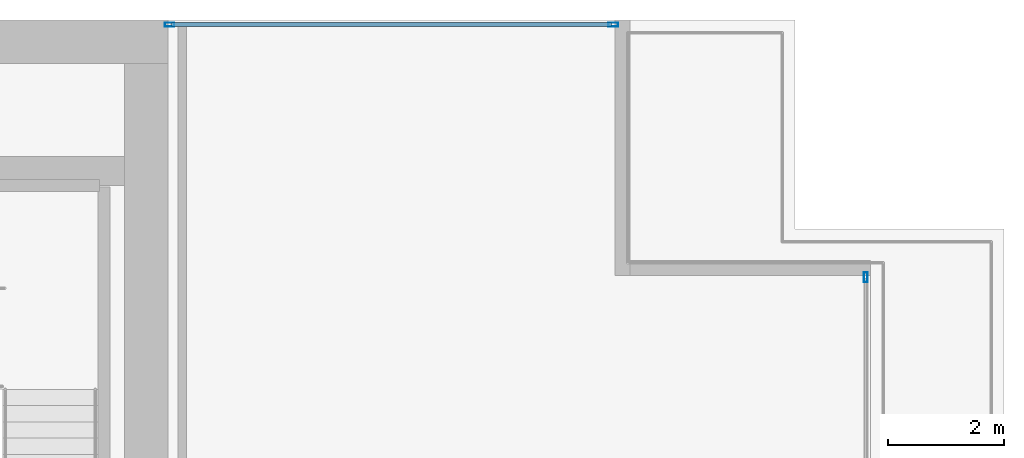
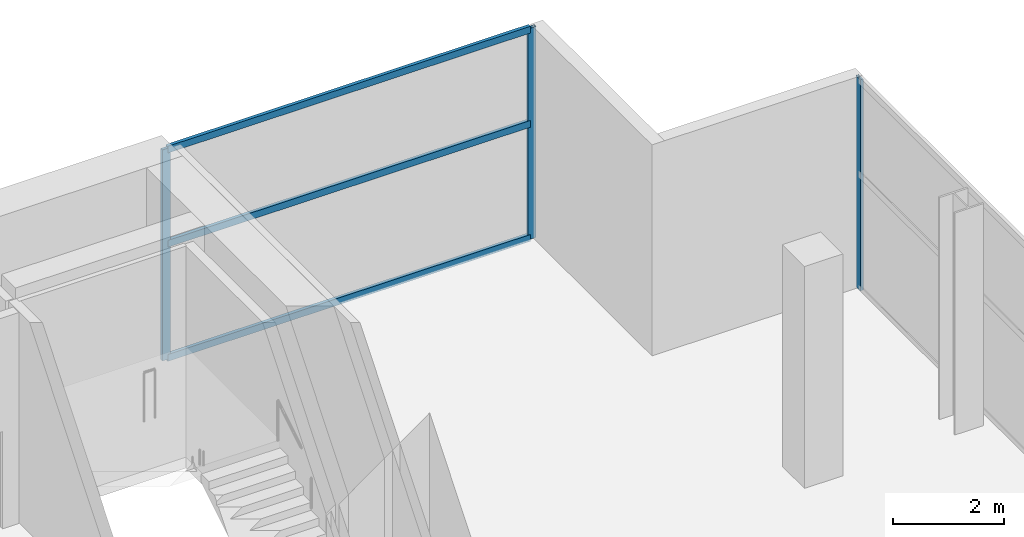
# One storey, part 22 of 31: 6 members, 2 elements without a shape of their own.
"""IFC4 building model written with IfcOpenShell, lengths in metres."""

import ifcopenshell
import ifcopenshell.guid

model = None  # the IFC model being written
_history = None  # IfcOwnerHistory: only IFC2X3 demands one
_inside = {}  # id of a spatial element -> (the spatial element, [elements in it])
_under = {}  # id of a project, library or spatial element -> (it, [spatial elements below it])
_declared = {}  # id of a project -> (the project, [libraries it declares])
_typed = {}  # id of a type object -> (the type object, [elements of that type])
_made_of = {}  # id of a material, layer set ... -> (it, [elements and type objects made of it])


def new_model(schema):
    """Start an empty IFC model of exactly this schema.

    Asked for "IFC4X3", IfcOpenShell would pick the latest addendum, in which some entities
    have other attributes; the version numbers below select the first issue.
    IFC2X3 requires an IfcOwnerHistory on every rooted entity: one is made here for all.
    """
    global model, _history
    if schema == "IFC4X3":
        model = ifcopenshell.file(schema_version=(4, 3, 0, 0))
    else:
        model = ifcopenshell.file(schema=schema)
    _inside.clear()
    _under.clear()
    _declared.clear()
    _typed.clear()
    _made_of.clear()
    _history = None
    if model.schema == "IFC2X3":
        org = make("IfcOrganization", Name="unknown")
        user = make(
            "IfcPersonAndOrganization",
            ThePerson=make("IfcPerson", FamilyName="unknown"),
            TheOrganization=org,
        )
        app = make(
            "IfcApplication",
            ApplicationDeveloper=org,
            Version="unknown",
            ApplicationFullName="unknown",
            ApplicationIdentifier="unknown",
        )
        _history = make(
            "IfcOwnerHistory",
            OwningUser=user,
            OwningApplication=app,
            ChangeAction="ADDED",
            CreationDate=0,
        )
    return model


def make(cls, **values):
    """One entity of the class cls with the attributes given. An attribute that is None is left unset."""
    return model.create_entity(
        cls, **{name: value for name, value in values.items() if value is not None}
    )


def rooted(cls, **values):
    """An entity with a GlobalId (a new one), such as an element, a storey or a relation."""
    return make(cls, GlobalId=ifcopenshell.guid.new(), OwnerHistory=_history, **values)


def si_unit(unit_type, name, prefix=None):
    """IfcSIUnit, for example si_unit("LENGTHUNIT", "METRE", prefix="MILLI")."""
    return make("IfcSIUnit", UnitType=unit_type, Prefix=prefix, Name=name)


def assignment(units):
    """IfcUnitAssignment: the units of a project."""
    return None if units is None else make("IfcUnitAssignment", Units=units)


def point(xyz):
    """IfcCartesianPoint."""
    return None if xyz is None else make("IfcCartesianPoint", Coordinates=xyz)


def direction(xyz):
    """IfcDirection."""
    return None if xyz is None else make("IfcDirection", DirectionRatios=xyz)


def frame(location, z_axis=None, x_axis=None):
    """IfcAxis2Placement3D, a coordinate frame: its origin and axes. An axis left out is left unset."""
    return make(
        "IfcAxis2Placement3D",
        Location=point(location),
        Axis=direction(z_axis),
        RefDirection=direction(x_axis),
    )


def frame_2d(location, x_axis=None):
    """IfcAxis2Placement2D, a coordinate frame in the plane: its origin and x axis."""
    return make(
        "IfcAxis2Placement2D", Location=point(location), RefDirection=direction(x_axis)
    )


def origin():
    """The frame at (0, 0, 0) with its axes left unset."""
    return frame((0.0, 0.0, 0.0))


def origin_2d():
    """The frame at (0, 0) in the plane with its x axis left unset."""
    return frame_2d((0.0, 0.0))


def place(relative_to, where):
    """IfcLocalPlacement: puts the frame where relative to a parent placement (None: the world)."""
    return make(
        "IfcLocalPlacement", PlacementRelTo=relative_to, RelativePlacement=where
    )


def context(
    kind, dimensions, precision=None, world=None, true_north=None, identifier=None
):
    """IfcGeometricRepresentationContext, for example the 3D "Model" context."""
    return make(
        "IfcGeometricRepresentationContext",
        ContextIdentifier=identifier,
        ContextType=kind,
        CoordinateSpaceDimension=dimensions,
        Precision=precision,
        WorldCoordinateSystem=world,
        TrueNorth=true_north,
    )


def subcontext(parent, identifier, kind, view, scale=None):
    """IfcGeometricRepresentationSubContext, for example "Body" below "Model"."""
    return make(
        "IfcGeometricRepresentationSubContext",
        ContextIdentifier=identifier,
        ContextType=kind,
        ParentContext=parent,
        TargetScale=scale,
        TargetView=view,
    )


def project(units=None, contexts=None):
    """IfcProject with its units and contexts."""
    return rooted(
        "IfcProject",
        Name="project",
        RepresentationContexts=contexts,
        UnitsInContext=assignment(units),
    )


def spatial(cls, under=None, at=None, **own):
    """A site, building, storey or space (cls), placed at a placement, below another one or the project."""
    s = rooted(cls, ObjectPlacement=at, **own)
    if under is not None:
        _under.setdefault(under.id(), (under, []))[1].append(s)
    return s


def profile(cls, at=None, kind="AREA", **sizes):
    """A parametric profile (cls). Its sizes go by their IFC names, for example OverallWidth=200.0."""
    return make(cls, ProfileType=kind, Position=at, **sizes)


def hollow_rectangle(**sizes):
    """IfcRectangleHollowProfileDef."""
    return profile("IfcRectangleHollowProfileDef", **sizes)


def extrude(swept, where, along, depth):
    """IfcExtrudedAreaSolid: the profile swept, set in the frame where, extruded along a direction by depth."""
    return make(
        "IfcExtrudedAreaSolid",
        SweptArea=swept,
        Position=where,
        ExtrudedDirection=direction(along),
        Depth=depth,
    )


def shape(context_of_items, identifier, shape_type, items):
    """IfcShapeRepresentation: the items that make up one representation, for example the "Body"."""
    return make(
        "IfcShapeRepresentation",
        ContextOfItems=context_of_items,
        RepresentationIdentifier=identifier,
        RepresentationType=shape_type,
        Items=items,
    )


def material(Name=None, Category=None):
    """IfcMaterial."""
    return make("IfcMaterial", Name=Name, Category=Category)


def layer(
    of_material, thickness, ventilated=None, Name=None, Category=None, Priority=None
):
    """IfcMaterialLayer: one layer of a wall or slab, of a material (None: an air gap)."""
    return make(
        "IfcMaterialLayer",
        Material=of_material,
        LayerThickness=thickness,
        IsVentilated=ventilated,
        Name=Name,
        Category=Category,
        Priority=Priority,
    )


def layer_set(layers, Name=None):
    """IfcMaterialLayerSet."""
    return make("IfcMaterialLayerSet", MaterialLayers=layers, LayerSetName=Name)


def material_profile(
    of_material, cross_section, Name=None, Category=None, Priority=None
):
    """IfcMaterialProfile: a cross section and its material."""
    return make(
        "IfcMaterialProfile",
        Name=Name,
        Material=of_material,
        Profile=cross_section,
        Priority=Priority,
        Category=Category,
    )


def profile_set(profiles, Name=None, composite=None):
    """IfcMaterialProfileSet."""
    return make(
        "IfcMaterialProfileSet",
        Name=Name,
        MaterialProfiles=profiles,
        CompositeProfile=composite,
    )


def made_of(thing, what):
    """Note that an element or type object is made of a material, layer set ...; save() writes the relation."""
    if what is not None:
        _made_of.setdefault(what.id(), (what, []))[1].append(thing)
    return thing


def type_object(cls, material=None, **own):
    """A type object (cls), such as IfcWallType, which elements share."""
    return made_of(rooted(cls, **own), material)


def element(
    cls,
    number,
    at=None,
    inside=None,
    cuts=None,
    type_object=None,
    material=None,
    context=None,
    identifier="Body",
    shape_type=None,
    held_by="IfcProductDefinitionShape",
    body=None,
    shapes=None,
    **own,
):
    """One element of the class cls, such as IfcWall. Its Tag is "e" and its number.

    at: its placement. inside: the storey or other place that contains it. cuts: it is an
    opening in that element (IfcRelVoidsElement). A single representation is given by context,
    identifier, shape_type and body (its items); several are given by shapes. held_by: the class
    of the entity that holds the representations. save() writes the other relations.
    """
    e = rooted(cls, Tag="e%d" % number, ObjectPlacement=at, **own)
    if body is not None:
        shapes = [shape(context, identifier, shape_type, body)]
    if shapes is not None:
        e.Representation = make(held_by, Representations=shapes)
    if inside is not None:
        _inside.setdefault(inside.id(), (inside, []))[1].append(e)
    if cuts is not None:
        rooted(
            "IfcRelVoidsElement", RelatingBuildingElement=cuts, RelatedOpeningElement=e
        )
    if type_object is not None:
        _typed.setdefault(type_object.id(), (type_object, []))[1].append(e)
    return made_of(e, material)


def aggregate(whole, parts):
    """IfcRelAggregates: a whole, such as a stair, and the parts it consists of."""
    return rooted("IfcRelAggregates", RelatingObject=whole, RelatedObjects=parts)


def save(model, path):
    """Write the relations noted so far, then the file.

    IfcRelAggregates (storeys below a building ...), IfcRelContainedInSpatialStructure (elements
    in a storey), IfcRelDefinesByType, IfcRelAssociatesMaterial and IfcRelDeclares: one each for
    every whole, place, type object, material and project.
    """
    for whole, parts in _under.values():
        aggregate(whole, parts)
    for where, things in _inside.values():
        rooted(
            "IfcRelContainedInSpatialStructure",
            RelatedElements=things,
            RelatingStructure=where,
        )
    for kind, things in _typed.values():
        rooted("IfcRelDefinesByType", RelatedObjects=things, RelatingType=kind)
    for what, things in _made_of.values():
        rooted("IfcRelAssociatesMaterial", RelatedObjects=things, RelatingMaterial=what)
    for by, libraries in _declared.values():
        rooted("IfcRelDeclares", RelatingContext=by, RelatedDefinitions=libraries)
    model.write(path)


model = new_model("IFC4")

# Units and contexts
model_context = context("Model", 3, precision=1e-05, world=origin(), true_north=direction((0.0, 1.0)))
body_context = subcontext(model_context, "Body", "Model", "MODEL_VIEW")
ifc_project = project(units=[si_unit("LENGTHUNIT", "METRE"), si_unit("AREAUNIT", "SQUARE_METRE"), si_unit("VOLUMEUNIT", "CUBIC_METRE"), si_unit("PLANEANGLEUNIT", "RADIAN"), si_unit("MASSUNIT", "GRAM", prefix="KILO")], contexts=[model_context])

# Site, building, storey
site_placement = place(None, origin())
site = spatial("IfcSite", under=ifc_project, at=site_placement, CompositionType="ELEMENT")
building_placement = place(site_placement, origin())
building = spatial("IfcBuilding", under=site, at=building_placement, Name="Maruvema Waterfront Hotel and Observation Tower", CompositionType="ELEMENT")
storey_placement = place(building_placement, frame((0.0, 0.0, 122.5)))
storey = spatial("IfcBuildingStorey", under=building, at=storey_placement, Name="L29", CompositionType="ELEMENT", Elevation=122.5)

# Curtain wall, members
ifc_material_1 = material(Name="Anodised bronze aluminium and solar-control low-E IGU", Category="aluminium")
ifc_layer = layer(ifc_material_1, 0.159912109375, Name="Zone 2 Amber Inner Thermal Curtain Wall System CW-03")
ifc_layer_set = layer_set([ifc_layer], Name="Anodised bronze aluminium and solar-control low-E IGU")
curtain_wall_type = type_object("IfcCurtainWallType", Name="Zone 2 Amber Inner Thermal Curtain Wall System CW-03", PredefinedType="USERDEFINED", material=ifc_layer_set)
curtain_wall_1_placement = place(storey_placement, origin())
curtain_wall_1 = element("IfcCurtainWall", 1, at=curtain_wall_1_placement, inside=storey, type_object=curtain_wall_type, Name="L29 Curtain Wall CW-L29-NE", ObjectType="UNITISED CURTAIN WALL", PredefinedType="USERDEFINED")
ifc_material_2 = material(Name="Anodised architectural bronze aluminium", Category="aluminium")
ifc_material_profile_1 = material_profile(ifc_material_2, hollow_rectangle(XDim=0.070068359375, YDim=0.14990234375, WallThickness=0.00390625, at=origin_2d()), Name="ALU-T70x150")
ifc_profile_set_1 = profile_set([ifc_material_profile_1], Name="Anodised architectural bronze aluminium")
member_type_1 = type_object("IfcMemberType", Name="Curtain Wall Horizontal Transom ALU-T70x150", PredefinedType="USERDEFINED", material=ifc_profile_set_1)
member_1_placement = place(storey_placement, frame((58.0400390625, 53.919921875, 0.030029296875), z_axis=(-1.0, 0.0, 0.0), x_axis=(0.0, -1.0, 0.0)))
member_1 = element("IfcMember", 2, at=member_1_placement, type_object=member_type_1, Name="CW-03 transom 1.1", ObjectType="TRANSOM", PredefinedType="USERDEFINED", context=body_context, shape_type="SweptSolid", body=[
    extrude(hollow_rectangle(XDim=0.070068359375, YDim=0.14990234375, WallThickness=0.00390625, at=origin_2d()), origin(), (0.0, 0.0, 1.0), 7.580078125),
])
member_2_placement = place(storey_placement, frame((58.0400390625, 53.919921875, 2.550048828125), z_axis=(-1.0, 0.0, 0.0), x_axis=(0.0, -1.0, 0.0)))
member_2 = element("IfcMember", 3, at=member_2_placement, type_object=member_type_1, Name="CW-03 transom 1.2", ObjectType="TRANSOM", PredefinedType="USERDEFINED", context=body_context, shape_type="SweptSolid", body=[
    extrude(hollow_rectangle(XDim=0.070068359375, YDim=0.14990234375, WallThickness=0.00390625, at=origin_2d()), origin(), (0.0, 0.0, 1.0), 7.580078125),
])
member_3_placement = place(storey_placement, frame((58.0400390625, 53.919921875, 4.6298828125), z_axis=(-1.0, 0.0, 0.0), x_axis=(0.0, -1.0, 0.0)))
member_3 = element("IfcMember", 4, at=member_3_placement, type_object=member_type_1, Name="CW-03 transom 1.3", ObjectType="TRANSOM", PredefinedType="USERDEFINED", context=body_context, shape_type="SweptSolid", body=[
    extrude(hollow_rectangle(XDim=0.070068359375, YDim=0.14990234375, WallThickness=0.00390625, at=origin_2d()), origin(), (0.0, 0.0, 1.0), 7.580078125),
])

# Curtain wall, member
curtain_wall_2_placement = place(storey_placement, origin())
curtain_wall_2 = element("IfcCurtainWall", 5, at=curtain_wall_2_placement, inside=storey, type_object=curtain_wall_type, Name="L29 Curtain Wall CW-L29-E", ObjectType="UNITISED CURTAIN WALL", PredefinedType="USERDEFINED")
ifc_material_3 = material(Name="Anodised architectural bronze aluminium", Category="aluminium")
ifc_material_profile_2 = material_profile(ifc_material_3, hollow_rectangle(XDim=0.06494140625, YDim=0.1650390625, WallThickness=0.00390625, at=origin_2d()), Name="ALU-M65x165")
ifc_profile_set_2 = profile_set([ifc_material_profile_2], Name="Anodised architectural bronze aluminium")
member_type_2 = type_object("IfcMemberType", Name="Curtain Wall Primary Mullion ALU-M65x165", PredefinedType="MULLION", material=ifc_profile_set_2)
member_4_placement = place(storey_placement, frame((62.419921875, 49.570068359375, 0.0), z_axis=(0.0, 0.0, 1.0), x_axis=(-1.0, 0.0, 0.0)))
member_4 = element("IfcMember", 6, at=member_4_placement, type_object=member_type_2, Name="CW-03 mullion 7", PredefinedType="MULLION", context=body_context, shape_type="SweptSolid", body=[
    extrude(hollow_rectangle(XDim=0.06494140625, YDim=0.1650390625, WallThickness=0.00390625, at=origin_2d()), origin(), (0.0, 0.0, 1.0), 4.659912109375),
])
aggregate(curtain_wall_2, [member_4])

# Member
member_5_placement = place(storey_placement, frame((58.070068359375, 53.919921875, 0.0), z_axis=(0.0, 0.0, 1.0), x_axis=(0.0, -1.0, 0.0)))
member_5 = element("IfcMember", 7, at=member_5_placement, type_object=member_type_2, Name="CW-03 mullion 1", PredefinedType="MULLION", context=body_context, shape_type="SweptSolid", body=[
    extrude(hollow_rectangle(XDim=0.06494140625, YDim=0.1650390625, WallThickness=0.00390625, at=origin_2d()), origin(), (0.0, 0.0, 1.0), 4.659912109375),
])

member_6_placement = place(storey_placement, frame((50.429931640625, 53.919921875, 0.0), z_axis=(0.0, 0.0, 1.0), x_axis=(0.0, -1.0, 0.0)))
member_6 = element("IfcMember", 8, at=member_6_placement, type_object=member_type_2, Name="CW-03 mullion 2", PredefinedType="MULLION", context=body_context, shape_type="SweptSolid", body=[
    extrude(hollow_rectangle(XDim=0.06494140625, YDim=0.1650390625, WallThickness=0.00390625, at=origin_2d()), origin(), (0.0, 0.0, 1.0), 4.659912109375),
])

aggregate(curtain_wall_1, [member_5, member_6, member_1, member_2, member_3])

save(model, "model.ifc")
